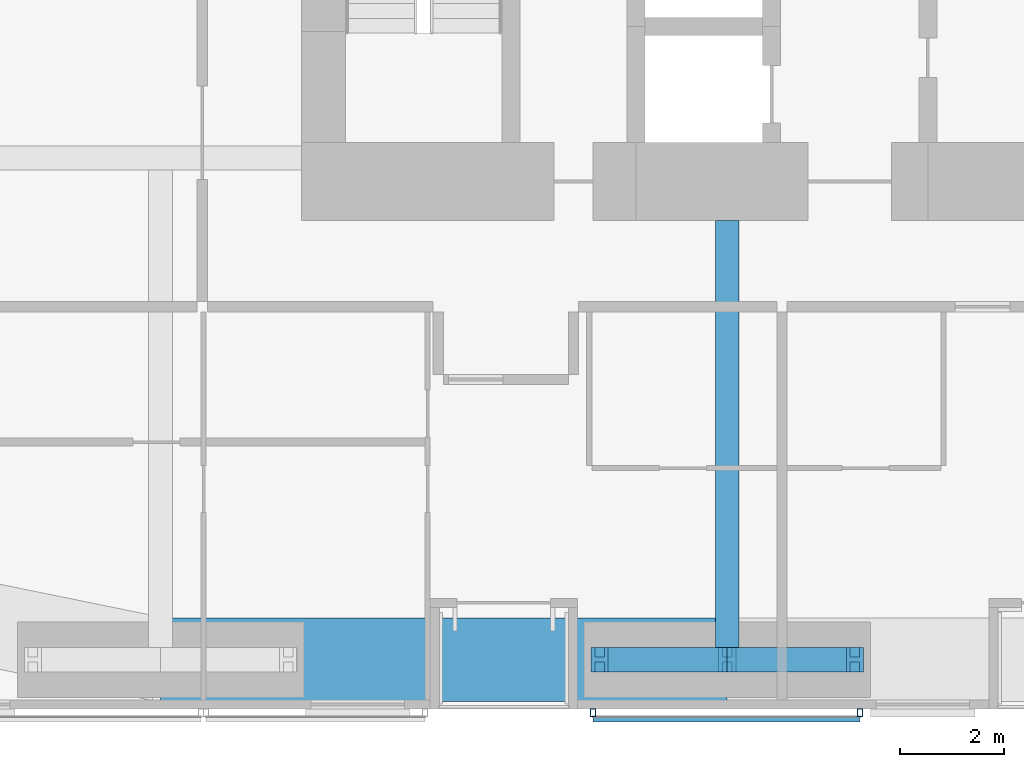
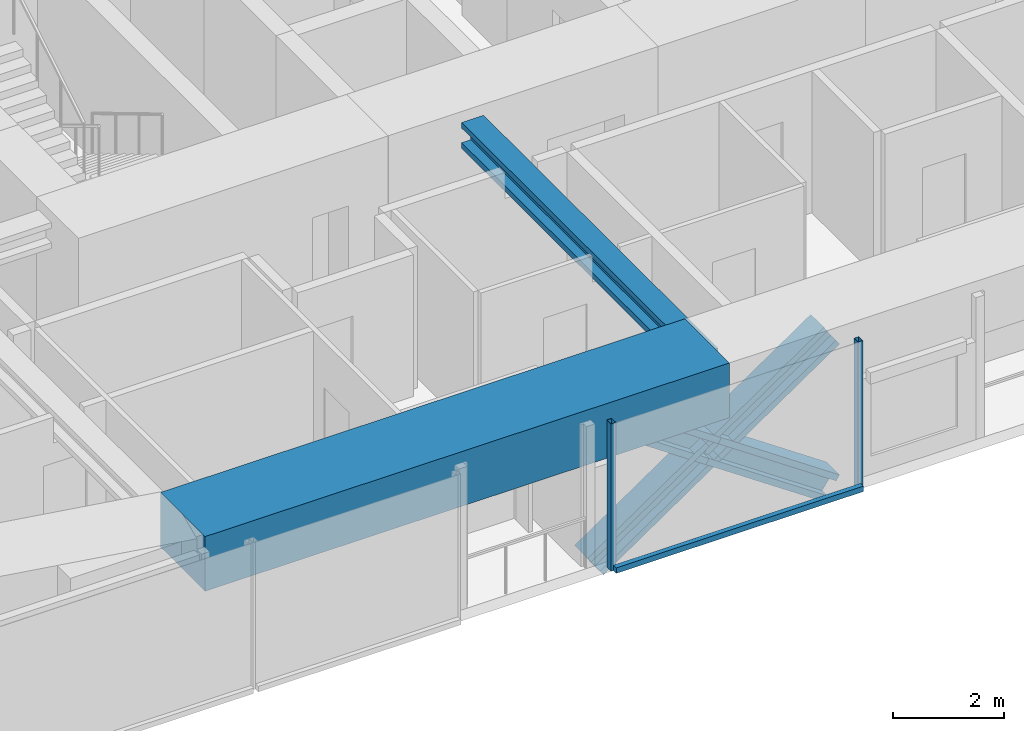
# One storey, part 5 of 25: 7 members, 2 beams, 1 element without a shape of its own.
"""IFC4 building model written with IfcOpenShell, lengths in metres."""

from ifc_helpers import new_model, si_unit, direction, frame, origin, origin_2d, place, context, subcontext, project, spatial, rectangle, hollow_rectangle, i_section, extrude, material, material_profile, profile_set, type_object, element, aggregate, save


model = new_model("IFC4")

# Units and contexts
model_context = context("Model", 3, precision=1e-05, world=origin(), true_north=direction((0.0, 1.0)))
body_context = subcontext(model_context, "Body", "Model", "MODEL_VIEW")
ifc_project = project(units=[si_unit("LENGTHUNIT", "METRE"), si_unit("AREAUNIT", "SQUARE_METRE"), si_unit("VOLUMEUNIT", "CUBIC_METRE"), si_unit("PLANEANGLEUNIT", "RADIAN"), si_unit("MASSUNIT", "GRAM", prefix="KILO")], contexts=[model_context])

# Site, building, storey
site_placement = place(None, origin())
site = spatial("IfcSite", under=ifc_project, at=site_placement, CompositionType="ELEMENT")
building_placement = place(site_placement, origin())
building = spatial("IfcBuilding", under=site, at=building_placement, Name="Jalousie Tower", CompositionType="ELEMENT")
storey_placement = place(building_placement, frame((0.0, 0.0, 94.800048828125)))
storey = spatial("IfcBuildingStorey", under=building, at=storey_placement, Name="L25", CompositionType="ELEMENT", Elevation=94.800048828125)

# Beam
ifc_material_1 = material(Name="Steel ASTM A992 Grade 50", Category="steel")
ifc_material_profile_1 = material_profile(ifc_material_1, i_section(OverallWidth=0.45458984375, OverallDepth=0.569091796875, WebThickness=0.077880859375, FlangeThickness=0.124755859375, at=origin_2d()), Name="W14X730")
ifc_profile_set_1 = profile_set([ifc_material_profile_1], Name="Steel ASTM A992 Grade 50")
beam_type_1 = type_object("IfcBeamType", Name="LEAN COLLECTOR W14X730", PredefinedType="BEAM", material=ifc_profile_set_1)
beam_1_placement = place(storey_placement, frame((27.75, 0.949951171875, 2.825439453125), z_axis=(0.0, 1.0, 0.0), x_axis=(-1.0, 0.0, 0.0)))
element("IfcBeam", 1, at=beam_1_placement, inside=storey, type_object=beam_type_1, Name="Lean collector under L26", PredefinedType="BEAM", context=body_context, shape_type="SweptSolid", body=[
    extrude(i_section(OverallWidth=0.45458984375, OverallDepth=0.569091796875, WebThickness=0.077880859375, FlangeThickness=0.124755859375, at=origin_2d()), origin(), (0.0, 0.0, 1.0), 8.425048828125),
])

# Members
ifc_material_2 = material(Name="Steel ASTM A992 Grade 50", Category="steel")
ifc_material_profile_2 = material_profile(ifc_material_2, i_section(OverallWidth=0.472412109375, OverallDepth=0.5791015625, WebThickness=0.094970703125, FlangeThickness=0.1298828125, at=origin_2d()), Name="W14X808")
ifc_profile_set_2 = profile_set([ifc_material_profile_2], Name="Steel ASTM A992 Grade 50")
member_type_1 = type_object("IfcMemberType", Name="PERIMETER BRACE W14X808", PredefinedType="BRACE", material=ifc_profile_set_2)
for number, where, z_axis, x_axis, name in (
    (2, (25.300048828125, 0.949951171875, -0.60009765625), (0.825500916831, 0.0, 0.564400776321), (0.0, 1.0, 0.0), "Perimeter brace 03 L25 part 1"),
    (3, (27.75, 0.949951171875, 1.074951171875), (0.825500916831, 0.0, 0.564400776321), (0.0, 1.0, 0.0), "Perimeter brace 03 L25 part 2"),
    (4, (30.199951171875, 0.949951171875, -0.60009765625), (-0.825500916831, 0.0, 0.564400776321), (0.0, -1.0, 0.0), "Perimeter brace 03 L25 part 3"),
    (5, (27.75, 0.949951171875, 1.074951171875), (-0.825500916831, 0.0, 0.564400776321), (0.0, -1.0, 0.0), "Perimeter brace 03 L25 part 4"),
):
    element("IfcMember", number, at=place(storey_placement, frame(where, z_axis=z_axis, x_axis=x_axis)), inside=storey, type_object=member_type_1, Name=name, PredefinedType="BRACE", context=body_context, shape_type="SweptSolid", body=[
        extrude(i_section(OverallWidth=0.472412109375, OverallDepth=0.5791015625, WebThickness=0.094970703125, FlangeThickness=0.1298828125, at=origin_2d()), origin(), (0.0, 0.0, 1.0), 2.9677734375),
    ])

# Beam
ifc_material_3 = material(Name="Concrete f'c 40 MPa", Category="concrete")
ifc_material_profile_3 = material_profile(ifc_material_3, rectangle(XDim=1.60009765625, YDim=1.199951171875, at=origin_2d()), Name="RC 1600x1200")
ifc_profile_set_3 = profile_set([ifc_material_profile_3], Name="Concrete f'c 40 MPa")
beam_type_2 = type_object("IfcBeamType", Name="RC BEAM 1600x1200", PredefinedType="BEAM", material=ifc_profile_set_3)
beam_2_placement = place(storey_placement, frame((16.875, 0.949951171875, 2.75), z_axis=(1.0, 0.0, 0.0), x_axis=(0.0, 1.0, 0.0)))
element("IfcBeam", 6, at=beam_2_placement, inside=storey, type_object=beam_type_2, Name="Edge band beam 02-03 under L26", PredefinedType="BEAM", context=body_context, shape_type="SweptSolid", body=[
    extrude(rectangle(XDim=1.60009765625, YDim=1.199951171875, at=origin_2d()), origin(), (0.0, 0.0, 1.0), 10.875),
])

# Curtain wall, members
ifc_material_4 = material(Name="Perforated aluminium sheet", Category="aluminium")
curtain_wall_type = type_object("IfcCurtainWallType", Name="SOLAR SCREEN SS-1", PredefinedType="USERDEFINED", material=ifc_material_4)
curtain_wall_placement = place(storey_placement, origin())
curtain_wall = element("IfcCurtainWall", 7, at=curtain_wall_placement, inside=storey, type_object=curtain_wall_type, Name="Solar screen L25", ObjectType="SOLAR SCREEN SS-1", PredefinedType="USERDEFINED")
ifc_material_5 = material(Name="Steel ASTM A500 Grade C", Category="steel")
ifc_material_profile_4 = material_profile(ifc_material_5, hollow_rectangle(XDim=0.1015625, YDim=0.15234375, WallThickness=0.00634765625, at=origin_2d()), Name="HSS6X4X1/4")
ifc_profile_set_4 = profile_set([ifc_material_profile_4], Name="Steel ASTM A500 Grade C")
member_type_2 = type_object("IfcMemberType", Name="SOLAR SCREEN SS-1 MULLION", PredefinedType="MULLION", material=ifc_profile_set_4)
member_1_placement = place(storey_placement, frame((25.175048828125, -0.0712890625, -0.1201171875), z_axis=(0.0, 0.0, 1.0), x_axis=(1.0, 0.0, 0.0)))
member_1 = element("IfcMember", 8, at=member_1_placement, type_object=member_type_2, Name="SS1 post 1", PredefinedType="MULLION", context=body_context, shape_type="SweptSolid", body=[
    extrude(hollow_rectangle(XDim=0.1015625, YDim=0.15234375, WallThickness=0.00634765625, at=origin_2d()), origin(), (0.0, 0.0, 1.0), 3.22998046875),
])
member_2_placement = place(storey_placement, frame((30.300048828125, -0.0712890625, -0.1201171875), z_axis=(0.0, 0.0, 1.0), x_axis=(1.0, 0.0, 0.0)))
member_2 = element("IfcMember", 9, at=member_2_placement, type_object=member_type_2, Name="SS1 post 2", PredefinedType="MULLION", context=body_context, shape_type="SweptSolid", body=[
    extrude(hollow_rectangle(XDim=0.1015625, YDim=0.15234375, WallThickness=0.00634765625, at=origin_2d()), origin(), (0.0, 0.0, 1.0), 3.22998046875),
])
ifc_material_6 = material(Name="Extruded aluminium screen rail", Category="aluminium")
ifc_material_profile_5 = material_profile(ifc_material_6, rectangle(XDim=0.1015625, YDim=0.1201171875, at=origin_2d()), Name="RAIL 102x120")
ifc_profile_set_5 = profile_set([ifc_material_profile_5], Name="Extruded aluminium screen rail")
member_type_3 = type_object("IfcMemberType", Name="SOLAR SCREEN SS-1 TRANSOM", PredefinedType="USERDEFINED", material=ifc_profile_set_5)
member_3_placement = place(storey_placement, frame((25.175048828125, -0.1982421875, -0.06005859375), z_axis=(1.0, 0.0, 0.0), x_axis=(0.0, 1.0, 0.0)))
member_3 = element("IfcMember", 10, at=member_3_placement, type_object=member_type_3, Name="SS1 rail", ObjectType="TRANSOM", PredefinedType="USERDEFINED", context=body_context, shape_type="SweptSolid", body=[
    extrude(rectangle(XDim=0.1015625, YDim=0.1201171875, at=origin_2d()), origin(), (0.0, 0.0, 1.0), 5.125),
])
aggregate(curtain_wall, [member_1, member_2, member_3])

save(model, "model.ifc")
